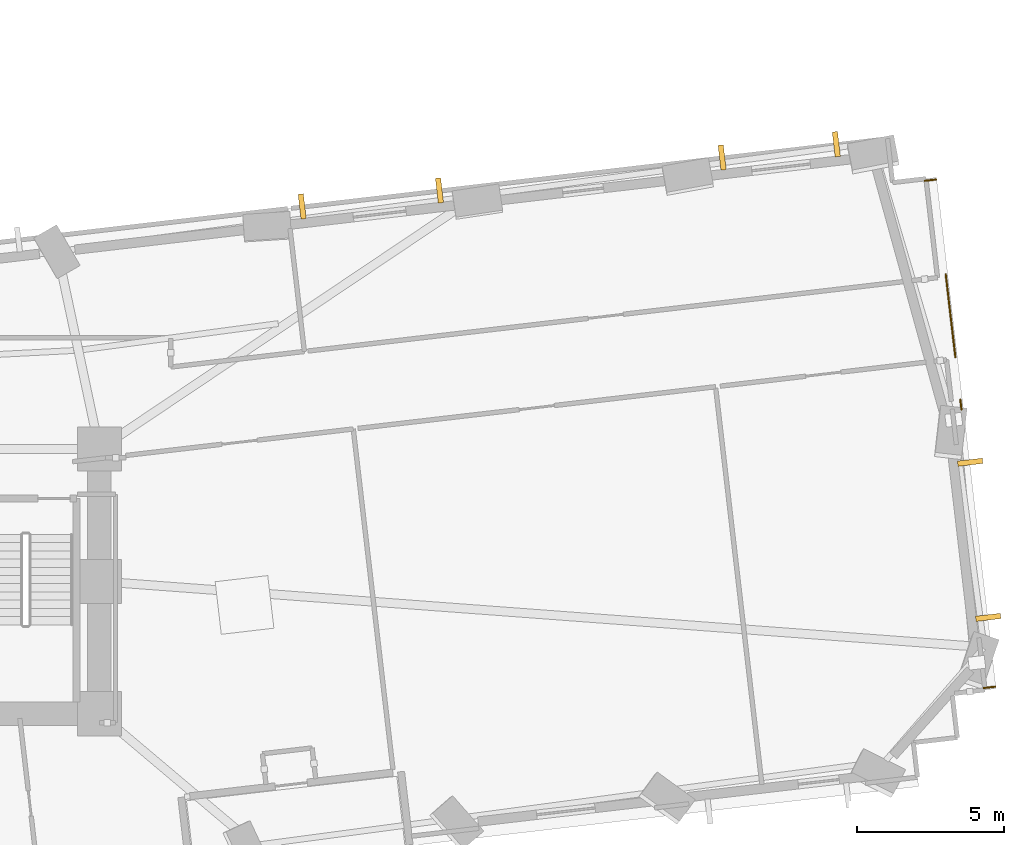
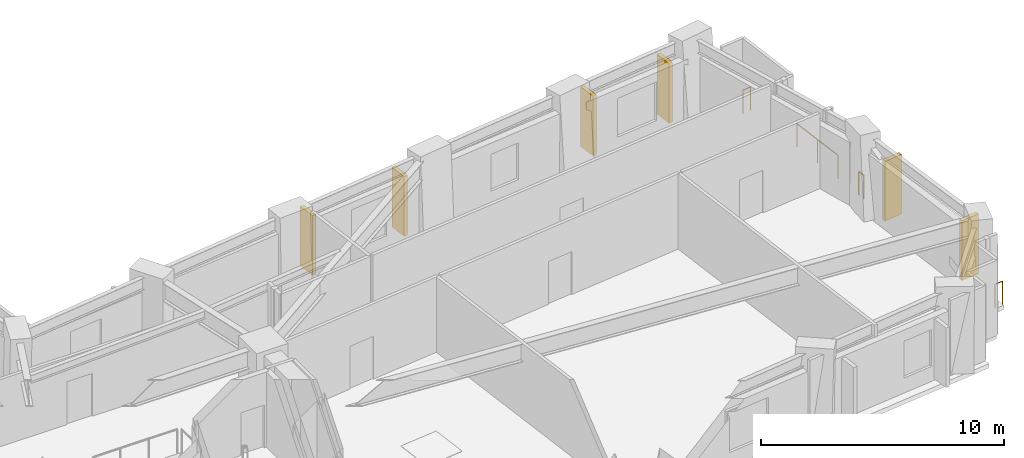
# One storey, part 13 of 14: 6 shading devices, 4 railings.
"""IFC4 building model written with IfcOpenShell, lengths in metres."""

from ifc_helpers import new_model, si_unit, direction, frame, origin, origin_2d, place, context, subcontext, project, spatial, rectangle, circle, extrude, material, layer, layer_set, type_object, element, save


model = new_model("IFC4")

# Units and contexts
model_context = context("Model", 3, precision=1e-05, world=origin(), true_north=direction((0.0, 1.0)))
body_context = subcontext(model_context, "Body", "Model", "MODEL_VIEW")
ifc_project = project(units=[si_unit("LENGTHUNIT", "METRE"), si_unit("AREAUNIT", "SQUARE_METRE"), si_unit("VOLUMEUNIT", "CUBIC_METRE"), si_unit("PLANEANGLEUNIT", "RADIAN"), si_unit("MASSUNIT", "GRAM", prefix="KILO")], contexts=[model_context])

# Site, building, storey
site_placement = place(None, origin())
site = spatial("IfcSite", under=ifc_project, at=site_placement, CompositionType="ELEMENT")
building_placement = place(site_placement, origin())
building = spatial("IfcBuilding", under=site, at=building_placement, Name="Gaonmaruhae Medical Tower", CompositionType="ELEMENT")
storey_placement = place(building_placement, frame((0.0, 0.0, 51.0)))
storey = spatial("IfcBuildingStorey", under=building, at=storey_placement, Name="L11", CompositionType="ELEMENT", Elevation=51.0)

# Railings
ifc_material_1 = material(Name="Stainless steel 316L and laminated safety glass", Category="steel")
ifc_layer = layer(ifc_material_1, 0.080078125)
ifc_layer_set = layer_set([ifc_layer], Name="Stainless steel 316L and laminated safety glass")
railing_type = type_object("IfcRailingType", Name="GD-120 Outdoor Terrace Safety Glass & Steel Balustrade", PredefinedType="BALUSTRADE", material=ifc_layer_set)
railing_1_placement = place(storey_placement, frame((63.659423828125, 25.91845703125, 0.0)))
element("IfcRailing", 1, at=railing_1_placement, inside=storey, type_object=railing_type, Name="L11 Perimeter Slab Edge Safety Balustrade 03", PredefinedType="BALUSTRADE", context=body_context, shape_type="SweptSolid", body=[
    extrude(circle(Radius=0.02392578125, at=origin_2d()), frame((0.0, 0.0, 1.17578125), z_axis=(0.993239301052, 0.11608484331, 0.0), x_axis=(-0.11608484331, 0.993239301052, 0.0)), (0.0, 0.0, 1.0), 0.393310546875),
    extrude(circle(Radius=0.02099609375, at=origin_2d()), origin(), (0.0, 0.0, 1.0), 1.15185546875),
    extrude(circle(Radius=0.02099609375, at=origin_2d()), frame((0.390625, 0.045654296875, 0.0)), (0.0, 0.0, 1.0), 1.15185546875),
])
railing_2_placement = place(storey_placement, frame((64.3759765625, 22.7373046875, 0.0)))
element("IfcRailing", 2, at=railing_2_placement, inside=storey, type_object=railing_type, Name="L11 Perimeter Slab Edge Safety Balustrade 04", PredefinedType="BALUSTRADE", context=body_context, shape_type="SweptSolid", body=[
    extrude(circle(Radius=0.02392578125, at=origin_2d()), frame((0.0, 0.0, 1.17578125), z_axis=(0.115763322185, -0.993276826085, 0.0), x_axis=(0.993276826085, 0.115763322185, 0.0)), (0.0, 0.0, 1.0), 2.838623046875),
    extrude(circle(Radius=0.02099609375, at=origin_2d()), origin(), (0.0, 0.0, 1.0), 1.15185546875),
    extrude(circle(Radius=0.02099609375, at=origin_2d()), frame((0.164306640625, -1.40966796875, 0.0)), (0.0, 0.0, 1.0), 1.15185546875),
    extrude(circle(Radius=0.02099609375, at=origin_2d()), frame((0.32861328125, -2.819580078125, 0.0)), (0.0, 0.0, 1.0), 1.15185546875),
])
railing_3_placement = place(storey_placement, frame((64.872314453125, 18.48046875, 0.0)))
element("IfcRailing", 3, at=railing_3_placement, inside=storey, type_object=railing_type, Name="L11 Perimeter Slab Edge Safety Balustrade 05", PredefinedType="BALUSTRADE", context=body_context, shape_type="SweptSolid", body=[
    extrude(circle(Radius=0.02392578125, at=origin_2d()), frame((0.0, 0.0, 1.17578125), z_axis=(0.115335454208, -0.993326599363, 0.0), x_axis=(0.993326599363, 0.115335454208, 0.0)), (0.0, 0.0, 1.0), 0.338623046875),
    extrude(circle(Radius=0.02099609375, at=origin_2d()), origin(), (0.0, 0.0, 1.0), 1.15185546875),
    extrude(circle(Radius=0.02099609375, at=origin_2d()), frame((0.0390625, -0.33642578125, 0.0)), (0.0, 0.0, 1.0), 1.15185546875),
])
railing_4_placement = place(storey_placement, frame((66.060302734375, 8.720947265625, 0.0)))
element("IfcRailing", 4, at=railing_4_placement, inside=storey, type_object=railing_type, Name="L11 Perimeter Slab Edge Safety Balustrade 06", PredefinedType="BALUSTRADE", context=body_context, shape_type="SweptSolid", body=[
    extrude(circle(Radius=0.02392578125, at=origin_2d()), frame((0.0, 0.0, 1.17578125), z_axis=(-0.993239301052, -0.11608484331, 0.0), x_axis=(0.11608484331, -0.993239301052, 0.0)), (0.0, 0.0, 1.0), 0.393310546875),
    extrude(circle(Radius=0.02099609375, at=origin_2d()), origin(), (0.0, 0.0, 1.0), 1.15185546875),
    extrude(circle(Radius=0.02099609375, at=origin_2d()), frame((-0.390625, -0.045654296875, 0.0)), (0.0, 0.0, 1.0), 1.15185546875),
])

# Shading devices
ifc_material_2 = material(Name="Pigmented coral precast concrete C45/55", Category="concrete")
shading_device_type = type_object("IfcShadingDeviceType", Name="SD-FIN1 Tower Vertical Coral Precast Shading Fin", PredefinedType="USERDEFINED", material=ifc_material_2)
for number, where, z_axis, x_axis, name in (
    (5, (65.206298828125, 16.35009765625, 0.08251953125), (0.0, 0.0, 1.0), (0.115803987891, -0.993272085779, 0.0), "L11 Vertical Coral Precast Shading Fin E01"),
    (6, (65.821044921875, 11.07568359375, 0.08251953125), (0.0, 0.0, 1.0), (0.115803987891, -0.993272085779, 0.0), "L11 Vertical Coral Precast Shading Fin E01B"),
    (7, (56.774169921875, 26.71142578125, 0.08251953125), (0.0, 0.0, 1.0), (0.993270064467, 0.115821323742, 0.0), "L11 Vertical Coral Precast Shading Fin E03"),
    (8, (60.656982421875, 27.164306640625, 0.08251953125), (0.0, 0.0, 1.0), (0.993270064467, 0.115821323742, 0.0), "L11 Vertical Coral Precast Shading Fin E03B"),
    (9, (42.49658203125, 25.046875, 0.08251953125), (0.0, 0.0, 1.0), (0.993272085779, 0.115803987891, 0.0), "L11 Vertical Coral Precast Shading Fin EN02"),
    (10, (47.164306640625, 25.591064453125, 0.08251953125), (0.0, 0.0, 1.0), (0.993272085779, 0.115803987891, 0.0), "L11 Vertical Coral Precast Shading Fin EN02B"),
):
    element("IfcShadingDevice", number, at=place(storey_placement, frame(where, z_axis=z_axis, x_axis=x_axis)), inside=storey, type_object=shading_device_type, Name=name, ObjectType="FIN", PredefinedType="USERDEFINED", context=body_context, shape_type="SweptSolid", body=[
        extrude(rectangle(XDim=0.179931640625, YDim=0.85009765625, at=origin_2d()), origin(), (0.0, 0.0, 1.0), 3.0),
    ])

save(model, "model.ifc")
